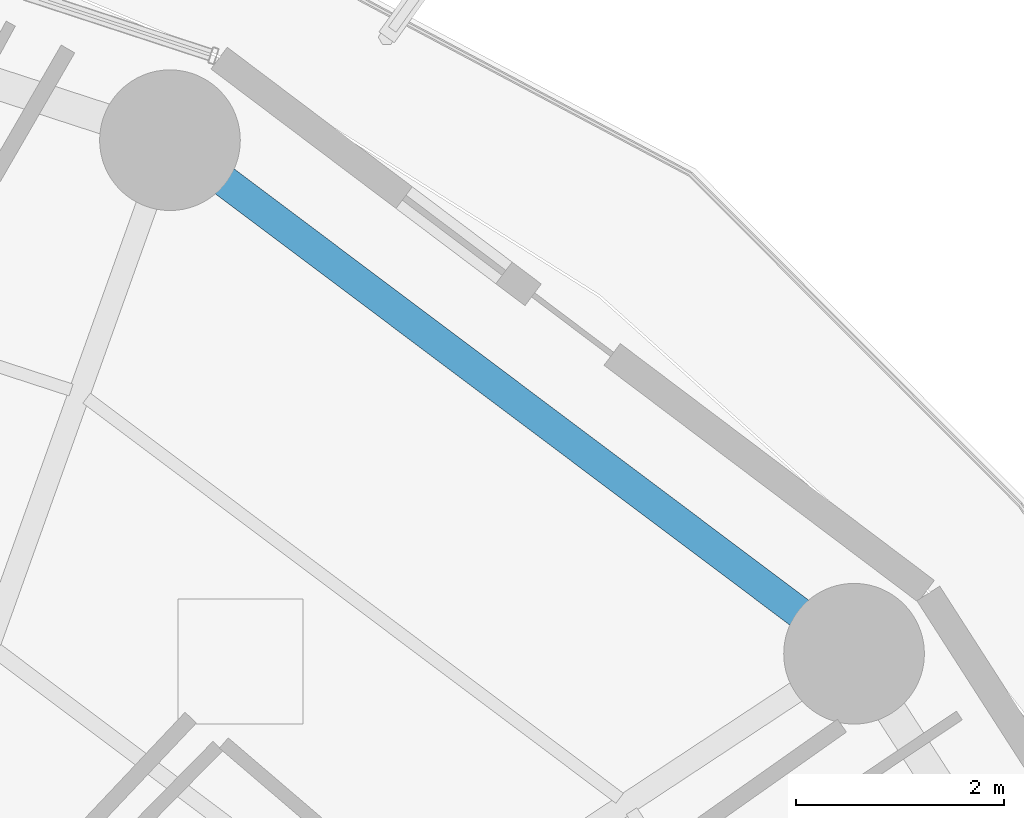
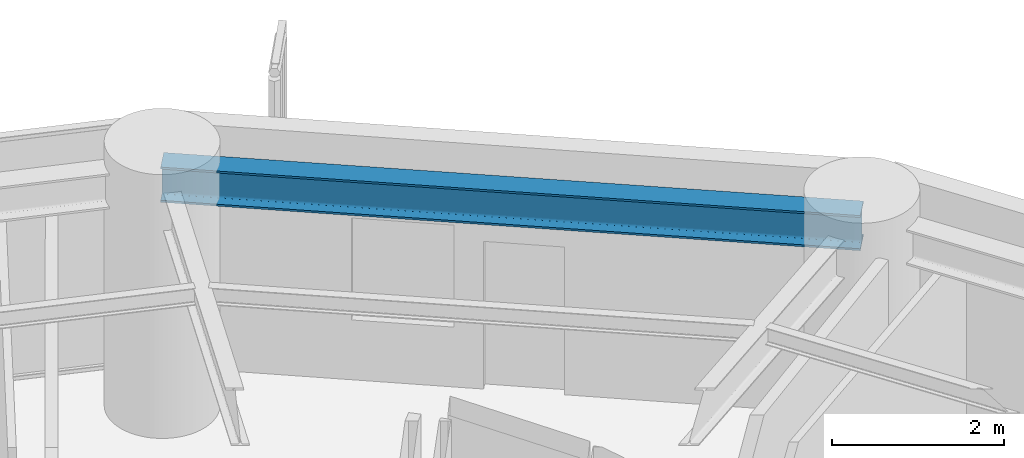
# One storey, part 26 of 35: 1 beam.
"""IFC4 building model written with IfcOpenShell, lengths in metres."""

from ifc_helpers import new_model, si_unit, direction, frame, origin, origin_2d, place, context, subcontext, project, spatial, i_section, extrude, material, material_profile, profile_set, type_object, element, save


model = new_model("IFC4")

# Units and contexts
model_context = context("Model", 3, precision=1e-05, world=origin(), true_north=direction((0.0, 1.0)))
body_context = subcontext(model_context, "Body", "Model", "MODEL_VIEW")
ifc_project = project(units=[si_unit("LENGTHUNIT", "METRE"), si_unit("AREAUNIT", "SQUARE_METRE"), si_unit("VOLUMEUNIT", "CUBIC_METRE"), si_unit("PLANEANGLEUNIT", "RADIAN"), si_unit("MASSUNIT", "GRAM", prefix="KILO")], contexts=[model_context])

# Site, building, storey
site_placement = place(None, origin())
site = spatial("IfcSite", under=ifc_project, at=site_placement, CompositionType="ELEMENT")
building_placement = place(site_placement, origin())
building = spatial("IfcBuilding", under=site, at=building_placement, Name="Kelanora Arch Commons", CompositionType="ELEMENT")
storey_placement = place(building_placement, frame((0.0, 0.0, 121.35009765625)))
storey = spatial("IfcBuildingStorey", under=building, at=storey_placement, Name="L31", CompositionType="ELEMENT", Elevation=121.35009765625)

# Beam
ifc_material = material(Name="Steel S355", Category="steel")
ifc_material_profile = material_profile(ifc_material, i_section(OverallWidth=0.300048828125, OverallDepth=0.5, WebThickness=0.014404296875, FlangeThickness=0.028076171875, FilletRadius=0.027099609375, at=origin_2d()), Name="HEB500")
ifc_profile_set = profile_set([ifc_material_profile], Name="Steel S355")
beam_type = type_object("IfcBeamType", Name="BM-SPN-Z2", PredefinedType="SPANDREL", material=ifc_profile_set)
beam_placement = place(storey_placement, frame((92.906005859375, 72.19287109375, 3.239990234375), z_axis=(-0.799735861602, 0.600352023123, 0.0), x_axis=(-0.600352023123, -0.799735861602, 0.0)))
element("IfcBeam", 1, at=beam_placement, inside=storey, type_object=beam_type, Name="Perimeter Spandrel Beam BS-04 L31", PredefinedType="SPANDREL", context=body_context, shape_type="SweptSolid", body=[
    extrude(i_section(OverallWidth=0.300048828125, OverallDepth=0.5, WebThickness=0.014404296875, FlangeThickness=0.028076171875, FilletRadius=0.027099609375, at=origin_2d()), origin(), (0.0, 0.0, 1.0), 8.210205078125),
])

save(model, "model.ifc")
